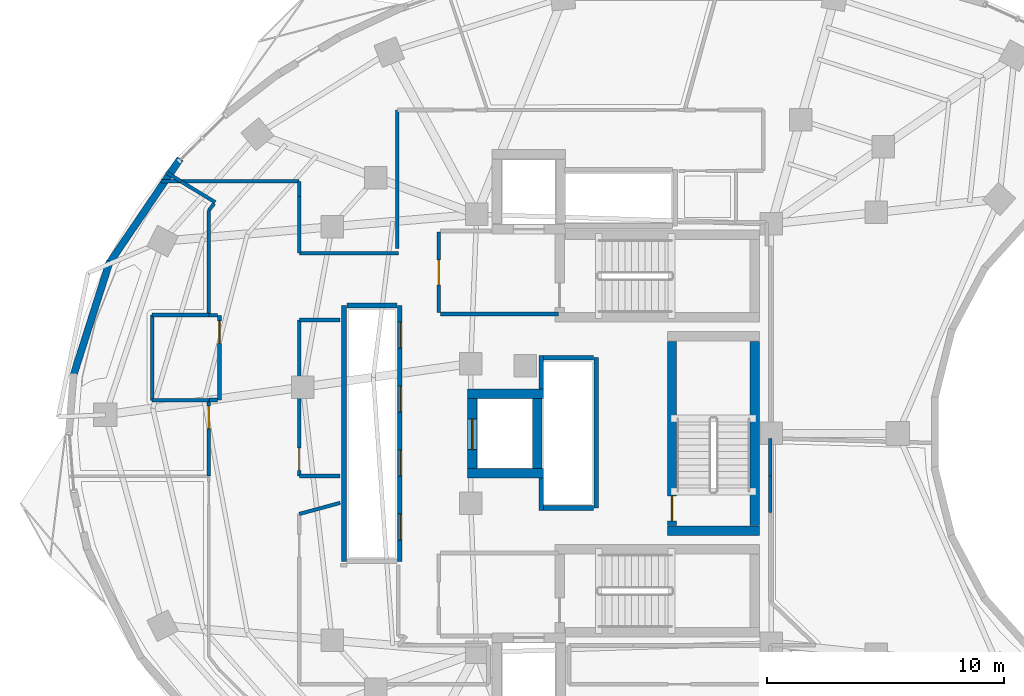
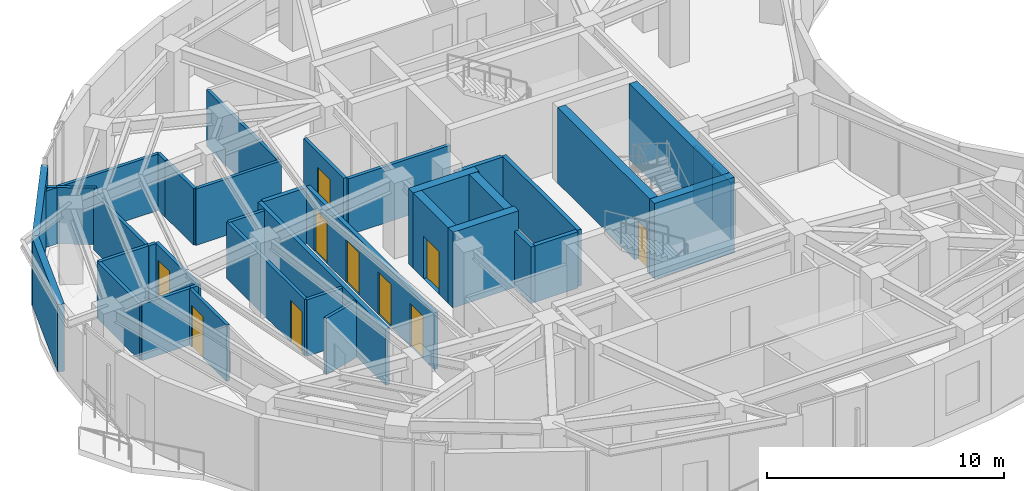
# One storey, part 8 of 13: 42 walls, 10 doors, 10 openings.
"""IFC4 building model written with IfcOpenShell, lengths in metres."""

from ifc_helpers import new_model, si_unit, direction, frame, frame_2d, origin, place, context, subcontext, project, spatial, rectangle, extrude, material, layer, layer_set, type_object, element, fill, save


model = new_model("IFC4")

# Units and contexts
model_context = context("Model", 3, precision=1e-05, world=origin(), true_north=direction((0.0, 1.0)))
body_context = subcontext(model_context, "Body", "Model", "MODEL_VIEW")
ifc_project = project(units=[si_unit("LENGTHUNIT", "METRE"), si_unit("AREAUNIT", "SQUARE_METRE"), si_unit("VOLUMEUNIT", "CUBIC_METRE"), si_unit("PLANEANGLEUNIT", "RADIAN"), si_unit("MASSUNIT", "GRAM", prefix="KILO")], contexts=[model_context])

# Site, building, storey
site_placement = place(None, origin())
site = spatial("IfcSite", under=ifc_project, at=site_placement, CompositionType="ELEMENT")
building_placement = place(site_placement, origin())
building = spatial("IfcBuilding", under=site, at=building_placement, Name="Korentha Bioscience Tower", CompositionType="ELEMENT")
storey_placement = place(building_placement, frame((0.0, 0.0, 158.39990234375)))
storey = spatial("IfcBuildingStorey", under=building, at=storey_placement, Name="L36", CompositionType="ELEMENT", Elevation=158.39990234375)

# Wall, opening, door
ifc_material_1 = material(Name="Double-Stud Acoustic Gypsum", Category="gypsum")
ifc_layer_1 = layer(ifc_material_1, 0.14990234375, Name="Double-Stud Acoustic Gypsum")
ifc_layer_set_1 = layer_set([ifc_layer_1], Name="Double-Stud Acoustic Gypsum (IW-L150)")
wall_type_1 = type_object("IfcWallType", Name="Acoustic Laboratory Partition Wall 150", PredefinedType="PARTITIONING", material=ifc_layer_set_1)
wall_1_placement = place(storey_placement, frame((13.7900390625, 28.389892578125, 0.0), z_axis=(0.0, 0.0, 1.0), x_axis=(0.0, -1.0, 0.0)))
wall_1 = element("IfcWall", 1, at=wall_1_placement, inside=storey, type_object=wall_type_1, Name="L36 Researchers' Wellness Quiet Room 11 Entrance Wall", PredefinedType="PARTITIONING", context=body_context, shape_type="SweptSolid", body=[
    extrude(rectangle(XDim=3.181884765625, YDim=0.14990234375, at=frame_2d((1.5908203125, 0.0))), origin(), (0.0, 0.0, 1.0), 2.91015625),
])
opening_1_placement = place(wall_1_placement, frame((0.239990234375, 0.0, 0.0)))
opening_1 = element("IfcOpeningElement", 2, at=opening_1_placement, cuts=wall_1, Name="Opening ID-10R", PredefinedType="OPENING", context=body_context, shape_type="SweptSolid", body=[
    extrude(rectangle(XDim=0.949951171875, YDim=2.14990234375, at=frame_2d((0.47509765625, 1.074951171875))), frame((0.0, 0.08984375, 0.0), z_axis=(0.0, -1.0, 0.0), x_axis=(1.0, 0.0, 0.0)), (0.0, 0.0, 1.0), 0.1796875),
])
ifc_material_2 = material(Name="Phenolic Laminate Timber Core", Category="wood")
door_type_1 = type_object("IfcDoorType", Name="Laboratory Single Leaf Door 950x2150 Right", OperationType="SINGLE_SWING_RIGHT", PredefinedType="DOOR", material=ifc_material_2)
door_1_placement = place(opening_1_placement, origin())
door_1 = element("IfcDoor", 3, at=door_1_placement, inside=storey, type_object=door_type_1, Name="L36 Researchers' Wellness Quiet Room 11 Door", OperationType="SINGLE_SWING_RIGHT", OverallHeight=2.14990234375, OverallWidth=0.949951171875, PredefinedType="DOOR", context=body_context, shape_type="SweptSolid", body=[
    extrude(rectangle(XDim=0.949951171875, YDim=2.14990234375, at=frame_2d((0.47509765625, 1.074951171875))), frame((0.0, 0.02490234375, 0.0), z_axis=(0.0, -1.0, 0.0), x_axis=(1.0, 0.0, 0.0)), (0.0, 0.0, 1.0), 0.050048828125),
])
fill(opening_1, door_1)

# Walls
wall_2_placement = place(storey_placement, frame((17.610107421875, 23.598876953125, 0.0), z_axis=(0.0, 0.0, 1.0), x_axis=(0.96501483668, 0.262195280255, 0.0)))
element("IfcWall", 4, at=wall_2_placement, inside=storey, type_object=wall_type_1, Name="L36 Interior Partition 035", PredefinedType="PARTITIONING", context=body_context, shape_type="SweptSolid", body=[
    extrude(rectangle(XDim=1.79248046875, YDim=0.14990234375, at=frame_2d((0.896240234375, 0.0))), origin(), (0.0, 0.0, 1.0), 2.91015625),
])
wall_3_placement = place(storey_placement, frame((37.501953125, 23.652099609375, 0.0), z_axis=(0.0, 0.0, 1.0), x_axis=(0.0, 1.0, 0.0)))
element("IfcWall", 5, at=wall_3_placement, inside=storey, type_object=wall_type_1, Name="L36 Interior Partition 052", PredefinedType="PARTITIONING", context=body_context, shape_type="SweptSolid", body=[
    extrude(rectangle(XDim=1.545654296875, YDim=0.14990234375, at=frame_2d((0.77294921875, 0.0))), origin(), (0.0, 0.0, 1.0), 2.91015625),
])
wall_4_placement = place(storey_placement, frame((37.501953125, 25.2021484375, 0.0), z_axis=(0.0, 0.0, 1.0), x_axis=(0.0, 1.0, 0.0)))
element("IfcWall", 6, at=wall_4_placement, inside=storey, type_object=wall_type_1, Name="L36 Interior Partition 053", PredefinedType="PARTITIONING", context=body_context, shape_type="SweptSolid", body=[
    extrude(rectangle(XDim=1.58935546875, YDim=0.14990234375, at=frame_2d((0.794677734375, 0.0))), origin(), (0.0, 0.0, 1.0), 2.91015625),
])
wall_5_placement = place(storey_placement, frame((21.739990234375, 40.64990234375, 0.0), z_axis=(0.0, 0.0, 1.0), x_axis=(0.0, -1.0, 0.0)))
element("IfcWall", 7, at=wall_5_placement, inside=storey, type_object=wall_type_1, Name="L36 Interior Partition 061", PredefinedType="PARTITIONING", context=body_context, shape_type="SweptSolid", body=[
    extrude(rectangle(XDim=5.849853515625, YDim=0.14990234375, at=frame_2d((2.9248046875, 0.0))), origin(), (0.0, 0.0, 1.0), 2.91015625),
])
wall_6_placement = place(storey_placement, frame((21.7900390625, 34.610107421875, 0.0), z_axis=(0.0, 0.0, 1.0), x_axis=(-1.0, 0.0, 0.0)))
element("IfcWall", 8, at=wall_6_placement, inside=storey, type_object=wall_type_1, Name="L36 Interior Partition 062", PredefinedType="PARTITIONING", context=body_context, shape_type="SweptSolid", body=[
    extrude(rectangle(XDim=4.179931640625, YDim=0.14990234375, at=frame_2d((2.08984375, 0.0))), origin(), (0.0, 0.0, 1.0), 2.91015625),
])
wall_7_placement = place(storey_placement, frame((17.610107421875, 34.610107421875, 0.0), z_axis=(0.0, 0.0, 1.0), x_axis=(0.0, 1.0, 0.0)))
element("IfcWall", 9, at=wall_7_placement, inside=storey, type_object=wall_type_1, Name="L36 Interior Partition 063", PredefinedType="PARTITIONING", context=body_context, shape_type="SweptSolid", body=[
    extrude(rectangle(XDim=2.389892578125, YDim=0.14990234375, at=frame_2d((1.19482421875, 0.0))), origin(), (0.0, 0.0, 1.0), 2.91015625),
])
wall_8_placement = place(storey_placement, frame((17.60009765625, 37.010009765625, 0.0), z_axis=(0.0, 0.0, 1.0), x_axis=(0.0, 1.0, 0.0)))
element("IfcWall", 10, at=wall_8_placement, inside=storey, type_object=wall_type_1, Name="L36 Interior Partition 065", PredefinedType="PARTITIONING", context=body_context, shape_type="SweptSolid", body=[
    extrude(rectangle(XDim=0.637939453125, YDim=0.14990234375, at=frame_2d((0.31884765625, 0.0))), origin(), (0.0, 0.0, 1.0), 2.91015625),
])
wall_9_placement = place(storey_placement, frame((17.60009765625, 37.64794921875, 0.0), z_axis=(0.0, 0.0, 1.0), x_axis=(-0.999999654811, 0.000830889254, 0.0)))
element("IfcWall", 11, at=wall_9_placement, inside=storey, type_object=wall_type_1, Name="L36 Interior Partition 066", PredefinedType="PARTITIONING", context=body_context, shape_type="SweptSolid", body=[
    extrude(rectangle(XDim=4.9951171875, YDim=0.14990234375, at=frame_2d((2.49755859375, 0.0))), origin(), (0.0, 0.0, 1.0), 2.91015625),
])
wall_10_placement = place(storey_placement, frame((12.604736328125, 37.652099609375, 0.0), z_axis=(0.0, 0.0, 1.0), x_axis=(-0.854460039547, 0.519517122737, 0.0)))
element("IfcWall", 12, at=wall_10_placement, inside=storey, type_object=wall_type_1, Name="L36 Interior Partition 067", PredefinedType="PARTITIONING", context=body_context, shape_type="SweptSolid", body=[
    extrude(rectangle(XDim=0.720947265625, YDim=0.14990234375, at=frame_2d((0.3603515625, 0.0))), origin(), (0.0, 0.0, 1.0), 2.91015625),
])
wall_11_placement = place(storey_placement, frame((11.762939453125, 37.64794921875, 0.0), z_axis=(0.0, 0.0, 1.0), x_axis=(1.0, 0.0, 0.0)))
element("IfcWall", 13, at=wall_11_placement, inside=storey, type_object=wall_type_1, Name="L36 Interior Partition 068", PredefinedType="PARTITIONING", context=body_context, shape_type="SweptSolid", body=[
    extrude(rectangle(XDim=0.8291015625, YDim=0.14990234375, at=frame_2d((0.41455078125, 0.0))), origin(), (0.0, 0.0, 1.0), 2.91015625),
])
wall_12_placement = place(storey_placement, frame((12.613525390625, 37.64208984375, 0.0), z_axis=(0.0, 0.0, 1.0), x_axis=(0.854432700604, -0.519562084971, 0.0)))
element("IfcWall", 14, at=wall_12_placement, inside=storey, type_object=wall_type_1, Name="L36 Interior Partition 069", PredefinedType="PARTITIONING", context=body_context, shape_type="SweptSolid", body=[
    extrude(rectangle(XDim=1.690673828125, YDim=0.14990234375, at=frame_2d((0.84521484375, 0.0))), origin(), (0.0, 0.0, 1.0), 2.91015625),
])
wall_13_placement = place(storey_placement, frame((14.009521484375, 36.701904296875, 0.0), z_axis=(0.0, 0.0, 1.0), x_axis=(-0.615804973601, -0.787898619423, 0.0)))
element("IfcWall", 15, at=wall_13_placement, inside=storey, type_object=wall_type_1, Name="L36 Interior Partition 070", PredefinedType="PARTITIONING", context=body_context, shape_type="SweptSolid", body=[
    extrude(rectangle(XDim=0.353271484375, YDim=0.14990234375, at=frame_2d((0.1767578125, 0.0))), origin(), (0.0, 0.0, 1.0), 2.91015625),
])
wall_14_placement = place(storey_placement, frame((13.7900390625, 36.41748046875, 0.0), z_axis=(0.0, 0.0, 1.0), x_axis=(0.0, -1.0, 0.0)))
element("IfcWall", 16, at=wall_14_placement, inside=storey, type_object=wall_type_1, Name="L36 Interior Partition 071", PredefinedType="PARTITIONING", context=body_context, shape_type="SweptSolid", body=[
    extrude(rectangle(XDim=4.407470703125, YDim=0.14990234375, at=frame_2d((2.20361328125, 0.0))), origin(), (0.0, 0.0, 1.0), 2.91015625),
])

# Wall, opening, door
ifc_material_3 = material(Name="Gypsum-Clad Steel Stud", Category="steel")
ifc_layer_2 = layer(ifc_material_3, 0.159912109375, Name="Gypsum-Clad Steel Stud")
ifc_layer_set_2 = layer_set([ifc_layer_2], Name="Gypsum-Clad Steel Stud (IW-C160)")
wall_type_2 = type_object("IfcWallType", Name="Fire-Rated Corridor Partition Wall 160", PredefinedType="PARTITIONING", material=ifc_layer_set_2)
wall_15_placement = place(storey_placement, frame((23.5, 32.10009765625, 0.0), z_axis=(0.0, 0.0, 1.0), x_axis=(0.0, 1.0, 0.0)))
wall_15 = element("IfcWall", 17, at=wall_15_placement, inside=storey, type_object=wall_type_2, Name="L36 FFLN-CW Rated Enclosure Wall", PredefinedType="PARTITIONING", context=body_context, shape_type="SweptSolid", body=[
    extrude(rectangle(XDim=3.39990234375, YDim=0.159912109375, at=frame_2d((1.699951171875, 0.0))), origin(), (0.0, 0.0, 1.0), 2.91015625),
])
opening_2_placement = place(wall_15_placement, frame((1.175048828125, 0.0, 0.0)))
opening_2 = element("IfcOpeningElement", 18, at=opening_2_placement, cuts=wall_15, Name="Opening FD-90R", PredefinedType="OPENING", context=body_context, shape_type="SweptSolid", body=[
    extrude(rectangle(XDim=1.050048828125, YDim=2.14990234375, at=frame_2d((0.52490234375, 1.074951171875))), frame((0.0, 0.0947265625, 0.0), z_axis=(0.0, -1.0, 0.0), x_axis=(1.0, 0.0, 0.0)), (0.0, 0.0, 1.0), 0.189697265625),
])
ifc_material_4 = material(Name="Powder-Coated Fire-Rated Steel", Category="steel")
door_type_2 = type_object("IfcDoorType", Name="Stairwell Fire Exit Door 1050x2150 Right", OperationType="SINGLE_SWING_RIGHT", PredefinedType="DOOR", material=ifc_material_4)
door_2_placement = place(opening_2_placement, origin())
door_2 = element("IfcDoor", 19, at=door_2_placement, inside=storey, type_object=door_type_2, Name="L36 North Firefighting Lobby Door", OperationType="SINGLE_SWING_RIGHT", OverallHeight=2.14990234375, OverallWidth=1.050048828125, PredefinedType="DOOR", context=body_context, shape_type="SweptSolid", body=[
    extrude(rectangle(XDim=1.050048828125, YDim=2.14990234375, at=frame_2d((0.52490234375, 1.074951171875))), frame((0.0, 0.02490234375, 0.0), z_axis=(0.0, -1.0, 0.0), x_axis=(1.0, 0.0, 0.0)), (0.0, 0.0, 1.0), 0.050048828125),
])
fill(opening_2, door_2)

# Wall
wall_16_placement = place(storey_placement, frame((23.580078125, 32.050048828125, 0.0), z_axis=(0.0, 0.0, 1.0), x_axis=(1.0, 0.0, 0.0)))
element("IfcWall", 20, at=wall_16_placement, inside=storey, type_object=wall_type_2, Name="L36 Firefighting Lobby Return Wall FFLN-S", PredefinedType="PARTITIONING", context=body_context, shape_type="SweptSolid", body=[
    extrude(rectangle(XDim=4.969970703125, YDim=0.159912109375, at=frame_2d((2.48486328125, 0.0))), origin(), (0.0, 0.0, 1.0), 2.91015625),
])

# Wall, opening, door
wall_17_placement = place(storey_placement, frame((14.239990234375, 31.989990234375, 0.0), z_axis=(0.0, 0.0, 1.0), x_axis=(0.0, -1.0, 0.0)))
wall_17 = element("IfcWall", 21, at=wall_17_placement, inside=storey, type_object=wall_type_2, Name="L36 Reclaimed Bank-1 North Data Closet Entrance Wall", PredefinedType="PARTITIONING", context=body_context, shape_type="SweptSolid", body=[
    extrude(rectangle(XDim=3.580078125, YDim=0.159912109375, at=frame_2d((1.7900390625, 0.0))), origin(), (0.0, 0.0, 1.0), 2.91015625),
])
opening_3_placement = place(wall_17_placement, frame((0.239990234375, 0.0, 0.0)))
opening_3 = element("IfcOpeningElement", 22, at=opening_3_placement, cuts=wall_17, Name="Opening ID-10L", PredefinedType="OPENING", context=body_context, shape_type="SweptSolid", body=[
    extrude(rectangle(XDim=0.949951171875, YDim=2.14990234375, at=frame_2d((0.47509765625, 1.074951171875))), frame((0.0, 0.0947265625, 0.0), z_axis=(0.0, -1.0, 0.0), x_axis=(1.0, 0.0, 0.0)), (0.0, 0.0, 1.0), 0.189697265625),
])
door_type_3 = type_object("IfcDoorType", Name="Laboratory Single Leaf Door 950x2150 Left", OperationType="SINGLE_SWING_LEFT", PredefinedType="DOOR", material=ifc_material_2)
door_3_placement = place(opening_3_placement, origin())
door_3 = element("IfcDoor", 23, at=door_3_placement, inside=storey, type_object=door_type_3, Name="L36 Reclaimed Bank-1 North Data Closet Door", OperationType="SINGLE_SWING_LEFT", OverallHeight=2.14990234375, OverallWidth=0.949951171875, PredefinedType="DOOR", context=body_context, shape_type="SweptSolid", body=[
    extrude(rectangle(XDim=0.949951171875, YDim=2.14990234375, at=frame_2d((0.47509765625, 1.074951171875))), frame((0.0, 0.02490234375, 0.0), z_axis=(0.0, -1.0, 0.0), x_axis=(1.0, 0.0, 0.0)), (0.0, 0.0, 1.0), 0.050048828125),
])
fill(opening_3, door_3)

wall_18_placement = place(storey_placement, frame((17.610107421875, 25.201904296875, 0.0), z_axis=(0.0, 0.0, 1.0), x_axis=(0.0, 1.0, 0.0)))
wall_18 = element("IfcWall", 24, at=wall_18_placement, inside=storey, type_object=wall_type_2, Name="L36 Cryogenic Dewar Supply Store 12 Entrance Wall", PredefinedType="PARTITIONING", context=body_context, shape_type="SweptSolid", body=[
    extrude(rectangle(XDim=6.588134765625, YDim=0.159912109375, at=frame_2d((3.2939453125, 0.0))), origin(), (0.0, 0.0, 1.0), 2.91015625),
])
opening_4_placement = place(wall_18_placement, frame((0.239990234375, 0.0, 0.0)))
opening_4 = element("IfcOpeningElement", 25, at=opening_4_placement, cuts=wall_18, Name="Opening ID-10L", PredefinedType="OPENING", context=body_context, shape_type="SweptSolid", body=[
    extrude(rectangle(XDim=0.949951171875, YDim=2.14990234375, at=frame_2d((0.47509765625, 1.074951171875))), frame((0.0, 0.0947265625, 0.0), z_axis=(0.0, -1.0, 0.0), x_axis=(1.0, 0.0, 0.0)), (0.0, 0.0, 1.0), 0.189697265625),
])
door_4_placement = place(opening_4_placement, origin())
door_4 = element("IfcDoor", 26, at=door_4_placement, inside=storey, type_object=door_type_3, Name="L36 Cryogenic Dewar Supply Store 12 Door", OperationType="SINGLE_SWING_LEFT", OverallHeight=2.14990234375, OverallWidth=0.949951171875, PredefinedType="DOOR", context=body_context, shape_type="SweptSolid", body=[
    extrude(rectangle(XDim=0.949951171875, YDim=2.14990234375, at=frame_2d((0.47509765625, 1.074951171875))), frame((0.0, 0.02490234375, 0.0), z_axis=(0.0, -1.0, 0.0), x_axis=(1.0, 0.0, 0.0)), (0.0, 0.0, 1.0), 0.050048828125),
])
fill(opening_4, door_4)

# Walls
for number, where, z_axis, x_axis, name in (
    (27, (13.800048828125, 31.989990234375, 0.0), (0.0, 0.0, 1.0), (1.0, 0.0, 0.0), "L36 Interior Partition 017"),
    (28, (14.156982421875, 28.409912109375, 0.0), (0.0, 0.0, 1.0), (-1.0, 0.0, 0.0), "L36 Interior Partition 018"),
):
    element("IfcWall", number, at=place(storey_placement, frame(where, z_axis=z_axis, x_axis=x_axis)), inside=storey, type_object=wall_type_2, Name=name, PredefinedType="PARTITIONING", context=body_context, shape_type="SweptSolid", body=[
        extrude(rectangle(XDim=0.35693359375, YDim=0.159912109375, at=frame_2d((0.178466796875, 0.0))), origin(), (0.0, 0.0, 1.0), 2.91015625),
    ])
wall_19_placement = place(storey_placement, frame((13.7900390625, 28.39990234375, 0.0), z_axis=(0.0, 0.0, 1.0), x_axis=(-1.0, 0.0, 0.0)))
element("IfcWall", 29, at=wall_19_placement, inside=storey, type_object=wall_type_2, Name="L36 Interior Partition 019", PredefinedType="PARTITIONING", context=body_context, shape_type="SweptSolid", body=[
    extrude(rectangle(XDim=2.39013671875, YDim=0.159912109375, at=frame_2d((1.195068359375, 0.0))), origin(), (0.0, 0.0, 1.0), 2.91015625),
])
wall_20_placement = place(storey_placement, frame((11.39990234375, 28.39990234375, 0.0), z_axis=(0.0, 0.0, 1.0), x_axis=(0.0, 1.0, 0.0)))
element("IfcWall", 30, at=wall_20_placement, inside=storey, type_object=wall_type_2, Name="L36 Interior Partition 020", PredefinedType="PARTITIONING", context=body_context, shape_type="SweptSolid", body=[
    extrude(rectangle(XDim=3.60009765625, YDim=0.159912109375, at=frame_2d((1.800048828125, 0.0))), origin(), (0.0, 0.0, 1.0), 2.91015625),
])
wall_21_placement = place(storey_placement, frame((11.39990234375, 32.0, 0.0), z_axis=(0.0, 0.0, 1.0), x_axis=(1.0, 0.0, 0.0)))
element("IfcWall", 31, at=wall_21_placement, inside=storey, type_object=wall_type_2, Name="L36 Interior Partition 021", PredefinedType="PARTITIONING", context=body_context, shape_type="SweptSolid", body=[
    extrude(rectangle(XDim=2.39013671875, YDim=0.159912109375, at=frame_2d((1.195068359375, 0.0))), origin(), (0.0, 0.0, 1.0), 2.91015625),
])
for number, where, z_axis, x_axis, name in (
    (32, (19.340087890625, 25.201904296875, 0.0), (0.0, 0.0, 1.0), (-1.0, 0.0, 0.0), "L36 Interior Partition 072"),
    (33, (17.610107421875, 31.7900390625, 0.0), (0.0, 0.0, 1.0), (1.0, 0.0, 0.0), "L36 Interior Partition 073"),
):
    element("IfcWall", number, at=place(storey_placement, frame(where, z_axis=z_axis, x_axis=x_axis)), inside=storey, type_object=wall_type_2, Name=name, PredefinedType="PARTITIONING", context=body_context, shape_type="SweptSolid", body=[
        extrude(rectangle(XDim=1.72998046875, YDim=0.159912109375, at=frame_2d((0.864990234375, 0.0))), origin(), (0.0, 0.0, 1.0), 2.91015625),
    ])
ifc_material_5 = material(Name="Honed Limestone Precast Concrete C40", Category="masonry")
ifc_layer_3 = layer(ifc_material_5, 0.300048828125, Name="Honed Limestone Precast Concrete C40")
ifc_layer_set_3 = layer_set([ifc_layer_3], Name="Honed Limestone Precast Concrete C40 (EW-ST300)")
wall_type_3 = type_object("IfcWallType", Name="Honed Limestone Cavity Spandrel Wall 300", PredefinedType="STANDARD", material=ifc_layer_set_3)
wall_22_placement = place(storey_placement, frame((12.580078125, 38.6005859375, 0.0), z_axis=(0.0, 0.0, 1.0), x_axis=(-0.561663900064, -0.827365495634, 0.0)))
element("IfcWall", 34, at=wall_22_placement, inside=storey, type_object=wall_type_3, Name="L36 Limestone Perimeter Closure Wall 14", PredefinedType="STANDARD", context=body_context, shape_type="SweptSolid", body=[
    extrude(rectangle(XDim=5.437744140625, YDim=0.300048828125, at=frame_2d((2.71875, 0.0))), origin(), (0.0, 0.0, 1.0), 3.47021484375),
])
wall_23_placement = place(storey_placement, frame((9.612548828125, 34.280029296875, 0.0), z_axis=(0.0, 0.0, 1.0), x_axis=(-0.303930984078, -0.952694052106, 0.0)))
element("IfcWall", 35, at=wall_23_placement, inside=storey, type_object=wall_type_3, Name="L36 Limestone Perimeter Closure Wall 16", PredefinedType="STANDARD", context=body_context, shape_type="SweptSolid", body=[
    extrude(rectangle(XDim=5.18115234375, YDim=0.300048828125, at=frame_2d((2.590576171875, 0.0))), origin(), (0.0, 0.0, 1.0), 3.47021484375),
])
ifc_material_6 = material(Name="Autoclaved Aerated Concrete Block C25", Category="concrete")
ifc_layer_4 = layer(ifc_material_6, 0.199951171875, Name="Autoclaved Aerated Concrete Block C25")
ifc_layer_set_4 = layer_set([ifc_layer_4], Name="Autoclaved Aerated Concrete Block C25 (IW-S200)")
wall_type_4 = type_object("IfcWallType", Name="Lift and Riser Shaft Enclosure Wall 200", PredefinedType="PARTITIONING", material=ifc_layer_set_4)
wall_24_placement = place(storey_placement, frame((19.5, 21.60009765625, 0.0), z_axis=(0.0, 0.0, 1.0), x_axis=(0.0, 1.0, 0.0)))
element("IfcWall", 36, at=wall_24_placement, inside=storey, type_object=wall_type_4, Name="L36 Lift Bank MID Shaft Wall -X", PredefinedType="PARTITIONING", context=body_context, shape_type="SweptSolid", body=[
    extrude(rectangle(XDim=10.7998046875, YDim=0.199951171875, at=frame_2d((5.39990234375, 0.0))), origin(), (0.0, 0.0, 1.0), 2.91015625),
])

# Wall, openings, doors
wall_25_placement = place(storey_placement, frame((21.85009765625, 21.60009765625, 0.0), z_axis=(0.0, 0.0, 1.0), x_axis=(0.0, 1.0, 0.0)))
wall_25 = element("IfcWall", 37, at=wall_25_placement, inside=storey, type_object=wall_type_4, Name="L36 Lift Bank MID Shaft Wall +X", PredefinedType="PARTITIONING", context=body_context, shape_type="SweptSolid", body=[
    extrude(rectangle(XDim=10.7998046875, YDim=0.199951171875, at=frame_2d((5.39990234375, 0.0))), origin(), (0.0, 0.0, 1.0), 2.91015625),
])
opening_5_placement = place(wall_25_placement, frame((0.89990234375, 0.0, 0.0)))
opening_5 = element("IfcOpeningElement", 38, at=opening_5_placement, cuts=wall_25, Name="Opening LD-11", PredefinedType="OPENING", context=body_context, shape_type="SweptSolid", body=[
    extrude(rectangle(XDim=1.10009765625, YDim=2.199951171875, at=frame_2d((0.550048828125, 1.10009765625))), frame((0.0, 0.11474609375, 0.0), z_axis=(0.0, -1.0, 0.0), x_axis=(1.0, 0.0, 0.0)), (0.0, 0.0, 1.0), 0.229736328125),
])
opening_6_placement = place(wall_25_placement, frame((3.60009765625, 0.0, 0.0)))
opening_6 = element("IfcOpeningElement", 39, at=opening_6_placement, cuts=wall_25, Name="Opening LD-11", PredefinedType="OPENING", context=body_context, shape_type="SweptSolid", body=[
    extrude(rectangle(XDim=1.10009765625, YDim=2.199951171875, at=frame_2d((0.550048828125, 1.10009765625))), frame((0.0, 0.11474609375, 0.0), z_axis=(0.0, -1.0, 0.0), x_axis=(1.0, 0.0, 0.0)), (0.0, 0.0, 1.0), 0.229736328125),
])
opening_7_placement = place(wall_25_placement, frame((6.300048828125, 0.0, 0.0)))
opening_7 = element("IfcOpeningElement", 40, at=opening_7_placement, cuts=wall_25, Name="Opening LD-11", PredefinedType="OPENING", context=body_context, shape_type="SweptSolid", body=[
    extrude(rectangle(XDim=1.10009765625, YDim=2.199951171875, at=frame_2d((0.550048828125, 1.10009765625))), frame((0.0, 0.11474609375, 0.0), z_axis=(0.0, -1.0, 0.0), x_axis=(1.0, 0.0, 0.0)), (0.0, 0.0, 1.0), 0.229736328125),
])
opening_8_placement = place(wall_25_placement, frame((9.0, 0.0, 0.0)))
opening_8 = element("IfcOpeningElement", 41, at=opening_8_placement, cuts=wall_25, Name="Opening LD-11", PredefinedType="OPENING", context=body_context, shape_type="SweptSolid", body=[
    extrude(rectangle(XDim=1.10009765625, YDim=2.199951171875, at=frame_2d((0.550048828125, 1.10009765625))), frame((0.0, 0.11474609375, 0.0), z_axis=(0.0, -1.0, 0.0), x_axis=(1.0, 0.0, 0.0)), (0.0, 0.0, 1.0), 0.229736328125),
])
ifc_material_7 = material(Name="Brushed Stainless Steel 304", Category="steel")
door_type_4 = type_object("IfcDoorType", Name="Passenger Lift Sliding Landing Door 1100x2200", OperationType="DOUBLE_DOOR_SLIDING", PredefinedType="DOOR", material=ifc_material_7)
door_5_placement = place(opening_5_placement, origin())
door_5 = element("IfcDoor", 42, at=door_5_placement, inside=storey, type_object=door_type_4, Name="L36 PL-M1 Sliding Lift Landing Door", OperationType="DOUBLE_DOOR_SLIDING", OverallHeight=2.199951171875, OverallWidth=1.10009765625, PredefinedType="DOOR", context=body_context, shape_type="SweptSolid", body=[
    extrude(rectangle(XDim=1.10009765625, YDim=2.199951171875, at=frame_2d((0.550048828125, 1.10009765625))), frame((0.0, 0.02490234375, 0.0), z_axis=(0.0, -1.0, 0.0), x_axis=(1.0, 0.0, 0.0)), (0.0, 0.0, 1.0), 0.050048828125),
])
fill(opening_5, door_5)
door_6_placement = place(opening_6_placement, origin())
door_6 = element("IfcDoor", 43, at=door_6_placement, inside=storey, type_object=door_type_4, Name="L36 PL-M2 Sliding Lift Landing Door", OperationType="DOUBLE_DOOR_SLIDING", OverallHeight=2.199951171875, OverallWidth=1.10009765625, PredefinedType="DOOR", context=body_context, shape_type="SweptSolid", body=[
    extrude(rectangle(XDim=1.10009765625, YDim=2.199951171875, at=frame_2d((0.550048828125, 1.10009765625))), frame((0.0, 0.02490234375, 0.0), z_axis=(0.0, -1.0, 0.0), x_axis=(1.0, 0.0, 0.0)), (0.0, 0.0, 1.0), 0.050048828125),
])
fill(opening_6, door_6)
door_7_placement = place(opening_7_placement, origin())
door_7 = element("IfcDoor", 44, at=door_7_placement, inside=storey, type_object=door_type_4, Name="L36 PL-M3 Sliding Lift Landing Door", OperationType="DOUBLE_DOOR_SLIDING", OverallHeight=2.199951171875, OverallWidth=1.10009765625, PredefinedType="DOOR", context=body_context, shape_type="SweptSolid", body=[
    extrude(rectangle(XDim=1.10009765625, YDim=2.199951171875, at=frame_2d((0.550048828125, 1.10009765625))), frame((0.0, 0.02490234375, 0.0), z_axis=(0.0, -1.0, 0.0), x_axis=(1.0, 0.0, 0.0)), (0.0, 0.0, 1.0), 0.050048828125),
])
fill(opening_7, door_7)
door_8_placement = place(opening_8_placement, origin())
door_8 = element("IfcDoor", 45, at=door_8_placement, inside=storey, type_object=door_type_4, Name="L36 PL-M4 Sliding Lift Landing Door", OperationType="DOUBLE_DOOR_SLIDING", OverallHeight=2.199951171875, OverallWidth=1.10009765625, PredefinedType="DOOR", context=body_context, shape_type="SweptSolid", body=[
    extrude(rectangle(XDim=1.10009765625, YDim=2.199951171875, at=frame_2d((0.550048828125, 1.10009765625))), frame((0.0, 0.02490234375, 0.0), z_axis=(0.0, -1.0, 0.0), x_axis=(1.0, 0.0, 0.0)), (0.0, 0.0, 1.0), 0.050048828125),
])
fill(opening_8, door_8)

# Walls
wall_26_placement = place(storey_placement, frame((19.6201171875, 32.39990234375, 0.0), z_axis=(0.0, 0.0, 1.0), x_axis=(1.0, 0.0, 0.0)))
element("IfcWall", 46, at=wall_26_placement, inside=storey, type_object=wall_type_4, Name="L36 Lift Bank MID Shaft Wall +Y", PredefinedType="PARTITIONING", context=body_context, shape_type="SweptSolid", body=[
    extrude(rectangle(XDim=2.10986328125, YDim=0.199951171875, at=frame_2d((1.054931640625, 0.0))), origin(), (0.0, 0.0, 1.0), 2.91015625),
])
wall_27_placement = place(storey_placement, frame((27.830078125, 23.75, 0.0), z_axis=(0.0, 0.0, 1.0), x_axis=(0.0, 1.0, 0.0)))
element("IfcWall", 47, at=wall_27_placement, inside=storey, type_object=wall_type_4, Name="L36 Lift Bank HIGH Shaft Wall -XS", PredefinedType="PARTITIONING", context=body_context, shape_type="SweptSolid", body=[
    extrude(rectangle(XDim=1.365966796875, YDim=0.199951171875, at=frame_2d((0.68310546875, 0.0))), origin(), (0.0, 0.0, 1.0), 2.91015625),
])
wall_28_placement = place(storey_placement, frame((27.830078125, 28.884033203125, 0.0), z_axis=(0.0, 0.0, 1.0), x_axis=(0.0, 1.0, 0.0)))
element("IfcWall", 48, at=wall_28_placement, inside=storey, type_object=wall_type_4, Name="L36 Lift Bank HIGH Shaft Wall -XN", PredefinedType="PARTITIONING", context=body_context, shape_type="SweptSolid", body=[
    extrude(rectangle(XDim=1.416015625, YDim=0.199951171875, at=frame_2d((0.7080078125, 0.0))), origin(), (0.0, 0.0, 1.0), 2.91015625),
])
wall_29_placement = place(storey_placement, frame((30.14990234375, 23.85009765625, 0.0), z_axis=(0.0, 0.0, 1.0), x_axis=(0.0, 1.0, 0.0)))
element("IfcWall", 49, at=wall_29_placement, inside=storey, type_object=wall_type_4, Name="L36 Lift Bank HIGH Shaft Wall +X", PredefinedType="PARTITIONING", context=body_context, shape_type="SweptSolid", body=[
    extrude(rectangle(XDim=6.349853515625, YDim=0.199951171875, at=frame_2d((3.1748046875, 0.0))), origin(), (0.0, 0.0, 1.0), 2.91015625),
])
for number, where, z_axis, x_axis, name in (
    (50, (27.93408203125, 23.85009765625, 0.0), (0.0, 0.0, 1.0), (1.0, 0.0, 0.0), "L36 Lift Bank HIGH Shaft Wall -Y"),
    (51, (27.93408203125, 30.199951171875, 0.0), (0.0, 0.0, 1.0), (1.0, 0.0, 0.0), "L36 Lift Bank HIGH Shaft Wall +Y"),
):
    element("IfcWall", number, at=place(storey_placement, frame(where, z_axis=z_axis, x_axis=x_axis)), inside=storey, type_object=wall_type_4, Name=name, PredefinedType="PARTITIONING", context=body_context, shape_type="SweptSolid", body=[
        extrude(rectangle(XDim=2.095947265625, YDim=0.199951171875, at=frame_2d((1.0478515625, 0.0))), origin(), (0.0, 0.0, 1.0), 2.91015625),
    ])
ifc_material_8 = material(Name="Concrete C65", Category="concrete")
ifc_layer_5 = layer(ifc_material_8, 0.39990234375, Name="Concrete C65")
ifc_layer_set_5 = layer_set([ifc_layer_5], Name="Concrete C65 (CW-C65)")
wall_type_5 = type_object("IfcWallType", Name="Mid-Rise Core Shear Wall 400", PredefinedType="SHEAR", material=ifc_layer_set_5)
wall_30_placement = place(storey_placement, frame((33.14990234375, 22.89990234375, 0.0), z_axis=(0.0, 0.0, 1.0), x_axis=(1.0, 0.0, 0.0)))
element("IfcWall", 52, at=wall_30_placement, inside=storey, type_object=wall_type_5, Name="L36 Core Shear Wall ST3-S", PredefinedType="SHEAR", context=body_context, shape_type="SweptSolid", body=[
    extrude(rectangle(XDim=3.900146484375, YDim=0.39990234375, at=frame_2d((1.9501953125, 0.0))), origin(), (0.0, 0.0, 1.0), 3.900146484375),
])
wall_31_placement = place(storey_placement, frame((36.85009765625, 23.110107421875, 0.0), z_axis=(0.0, 0.0, 1.0), x_axis=(0.0, 1.0, 0.0)))
element("IfcWall", 53, at=wall_31_placement, inside=storey, type_object=wall_type_5, Name="L36 Core Shear Wall ST3-E", PredefinedType="SHEAR", context=body_context, shape_type="SweptSolid", body=[
    extrude(rectangle(XDim=7.77978515625, YDim=0.39990234375, at=frame_2d((3.889892578125, 0.0))), origin(), (0.0, 0.0, 1.0), 3.900146484375),
])

# Wall, opening, door
wall_32_placement = place(storey_placement, frame((33.35009765625, 23.110107421875, 0.0), z_axis=(0.0, 0.0, 1.0), x_axis=(0.0, 1.0, 0.0)))
wall_32 = element("IfcWall", 54, at=wall_32_placement, inside=storey, type_object=wall_type_5, Name="L36 Core Shear Wall ST3-W", PredefinedType="SHEAR", context=body_context, shape_type="SweptSolid", body=[
    extrude(rectangle(XDim=7.77978515625, YDim=0.39990234375, at=frame_2d((3.889892578125, 0.0))), origin(), (0.0, 0.0, 1.0), 3.900146484375),
])
opening_9_placement = place(wall_32_placement, frame((0.199951171875, 0.0, 0.0)))
opening_9 = element("IfcOpeningElement", 55, at=opening_9_placement, cuts=wall_32, Name="Opening FD-90R", PredefinedType="OPENING", context=body_context, shape_type="SweptSolid", body=[
    extrude(rectangle(XDim=1.050048828125, YDim=2.14990234375, at=frame_2d((0.52490234375, 1.074951171875))), frame((0.0, 0.21484375, 0.0), z_axis=(0.0, -1.0, 0.0), x_axis=(1.0, 0.0, 0.0)), (0.0, 0.0, 1.0), 0.4296875),
])
door_9_placement = place(opening_9_placement, origin())
door_9 = element("IfcDoor", 56, at=door_9_placement, inside=storey, type_object=door_type_2, Name="L36 ST-3 Fire Exit Stair Door", OperationType="SINGLE_SWING_RIGHT", OverallHeight=2.14990234375, OverallWidth=1.050048828125, PredefinedType="DOOR", context=body_context, shape_type="SweptSolid", body=[
    extrude(rectangle(XDim=1.050048828125, YDim=2.14990234375, at=frame_2d((0.52490234375, 1.074951171875))), frame((0.0, 0.02490234375, 0.0), z_axis=(0.0, -1.0, 0.0), x_axis=(1.0, 0.0, 0.0)), (0.0, 0.0, 1.0), 0.050048828125),
])
fill(opening_9, door_9)

# Walls
for number, where, z_axis, x_axis, name in (
    (57, (24.719970703125, 28.679931640625, 0.0), (0.0, 0.0, 1.0), (1.0, 0.0, 0.0), "L36 Core Shear Wall SVL1-N"),
    (58, (24.719970703125, 25.320068359375, 0.0), (0.0, 0.0, 1.0), (1.0, 0.0, 0.0), "L36 Core Shear Wall SVL1-S"),
):
    element("IfcWall", number, at=place(storey_placement, frame(where, z_axis=z_axis, x_axis=x_axis)), inside=storey, type_object=wall_type_5, Name=name, PredefinedType="SHEAR", context=body_context, shape_type="SweptSolid", body=[
        extrude(rectangle(XDim=3.2099609375, YDim=0.39990234375, at=frame_2d((1.60498046875, 0.0))), origin(), (0.0, 0.0, 1.0), 3.900146484375),
    ])

# Wall, opening, door
wall_33_placement = place(storey_placement, frame((24.919921875, 25.52197265625, 0.0), z_axis=(0.0, 0.0, 1.0), x_axis=(0.0, 1.0, 0.0)))
wall_33 = element("IfcWall", 59, at=wall_33_placement, inside=storey, type_object=wall_type_5, Name="L36 Core Shear Wall SVL1-W", PredefinedType="SHEAR", context=body_context, shape_type="SweptSolid", body=[
    extrude(rectangle(XDim=2.9560546875, YDim=0.39990234375, at=frame_2d((1.47802734375, 0.0))), origin(), (0.0, 0.0, 1.0), 3.900146484375),
])
opening_10_placement = place(wall_33_placement, frame((0.7900390625, 0.0, 0.0)))
opening_10 = element("IfcOpeningElement", 60, at=opening_10_placement, cuts=wall_33, Name="Opening LD-13", PredefinedType="OPENING", context=body_context, shape_type="SweptSolid", body=[
    extrude(rectangle(XDim=1.300048828125, YDim=2.199951171875, at=frame_2d((0.64990234375, 1.10009765625))), frame((0.0, 0.21484375, 0.0), z_axis=(0.0, -1.0, 0.0), x_axis=(1.0, 0.0, 0.0)), (0.0, 0.0, 1.0), 0.4296875),
])
ifc_material_9 = material(Name="Brushed Stainless Steel 316", Category="steel")
door_type_5 = type_object("IfcDoorType", Name="Service & Firefighting Lift Landing Door 1300x2300", OperationType="DOUBLE_DOOR_SLIDING", PredefinedType="DOOR", material=ifc_material_9)
door_10_placement = place(opening_10_placement, origin())
door_10 = element("IfcDoor", 61, at=door_10_placement, inside=storey, type_object=door_type_5, Name="L36 SVL-1 Sliding Lift Landing Door", OperationType="DOUBLE_DOOR_SLIDING", OverallHeight=2.199951171875, OverallWidth=1.300048828125, PredefinedType="DOOR", context=body_context, shape_type="SweptSolid", body=[
    extrude(rectangle(XDim=1.300048828125, YDim=2.199951171875, at=frame_2d((0.64990234375, 1.10009765625))), frame((0.0, 0.02490234375, 0.0), z_axis=(0.0, -1.0, 0.0), x_axis=(1.0, 0.0, 0.0)), (0.0, 0.0, 1.0), 0.050048828125),
])
fill(opening_10, door_10)

# Wall
wall_34_placement = place(storey_placement, frame((27.64990234375, 25.52197265625, 0.0), z_axis=(0.0, 0.0, 1.0), x_axis=(0.0, 1.0, 0.0)))
element("IfcWall", 62, at=wall_34_placement, inside=storey, type_object=wall_type_5, Name="L36 Core Shear Wall SVL1-E", PredefinedType="SHEAR", context=body_context, shape_type="SweptSolid", body=[
    extrude(rectangle(XDim=2.9560546875, YDim=0.39990234375, at=frame_2d((1.47802734375, 0.0))), origin(), (0.0, 0.0, 1.0), 3.900146484375),
])

save(model, "model.ifc")
